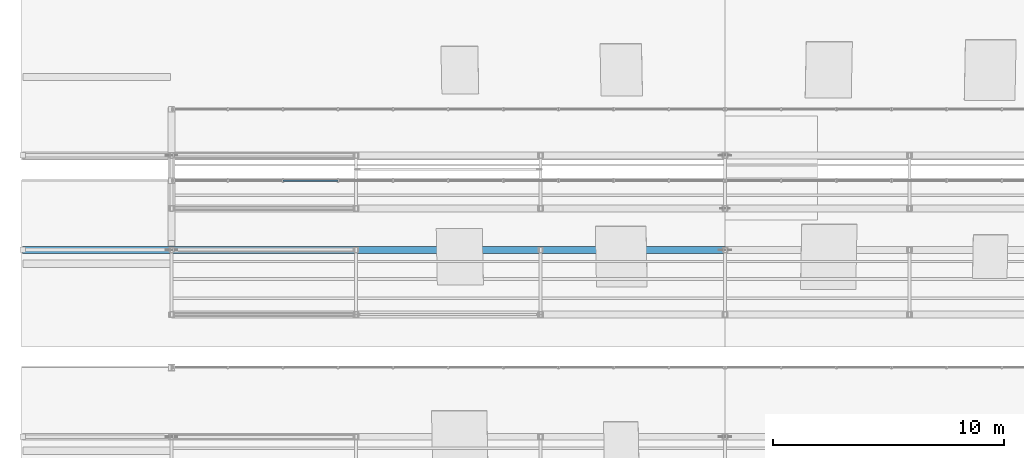
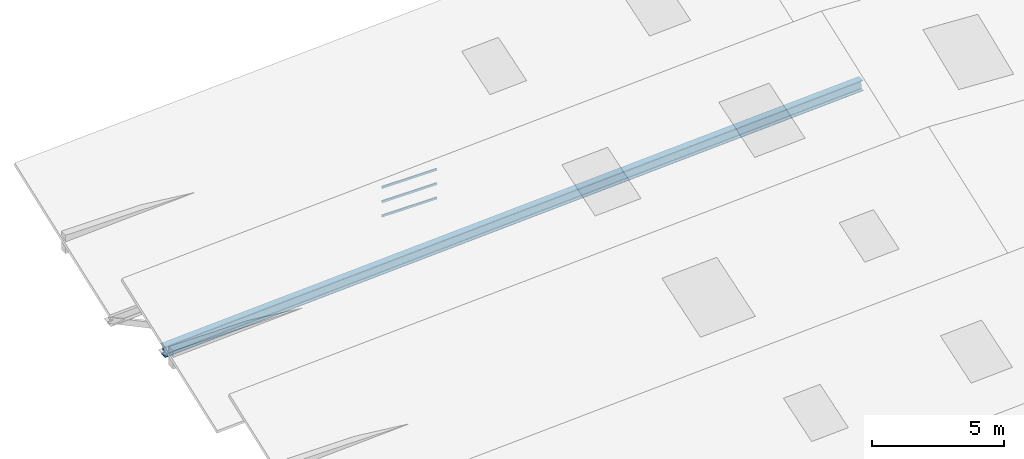
# One storey, part 77 of 141: 4 members, 1 element without a shape of its own.
"""IFC4 building model written with IfcOpenShell, lengths in metres."""

import ifcopenshell
import ifcopenshell.guid

model = None  # the IFC model being written
_history = None  # IfcOwnerHistory: only IFC2X3 demands one
_inside = {}  # id of a spatial element -> (the spatial element, [elements in it])
_under = {}  # id of a project, library or spatial element -> (it, [spatial elements below it])
_declared = {}  # id of a project -> (the project, [libraries it declares])
_typed = {}  # id of a type object -> (the type object, [elements of that type])
_made_of = {}  # id of a material, layer set ... -> (it, [elements and type objects made of it])


def new_model(schema):
    """Start an empty IFC model of exactly this schema.

    Asked for "IFC4X3", IfcOpenShell would pick the latest addendum, in which some entities
    have other attributes; the version numbers below select the first issue.
    IFC2X3 requires an IfcOwnerHistory on every rooted entity: one is made here for all.
    """
    global model, _history
    if schema == "IFC4X3":
        model = ifcopenshell.file(schema_version=(4, 3, 0, 0))
    else:
        model = ifcopenshell.file(schema=schema)
    _inside.clear()
    _under.clear()
    _declared.clear()
    _typed.clear()
    _made_of.clear()
    _history = None
    if model.schema == "IFC2X3":
        org = make("IfcOrganization", Name="unknown")
        user = make(
            "IfcPersonAndOrganization",
            ThePerson=make("IfcPerson", FamilyName="unknown"),
            TheOrganization=org,
        )
        app = make(
            "IfcApplication",
            ApplicationDeveloper=org,
            Version="unknown",
            ApplicationFullName="unknown",
            ApplicationIdentifier="unknown",
        )
        _history = make(
            "IfcOwnerHistory",
            OwningUser=user,
            OwningApplication=app,
            ChangeAction="ADDED",
            CreationDate=0,
        )
    return model


def make(cls, **values):
    """One entity of the class cls with the attributes given. An attribute that is None is left unset."""
    return model.create_entity(
        cls, **{name: value for name, value in values.items() if value is not None}
    )


def rooted(cls, **values):
    """An entity with a GlobalId (a new one), such as an element, a storey or a relation."""
    return make(cls, GlobalId=ifcopenshell.guid.new(), OwnerHistory=_history, **values)


def si_unit(unit_type, name, prefix=None):
    """IfcSIUnit, for example si_unit("LENGTHUNIT", "METRE", prefix="MILLI")."""
    return make("IfcSIUnit", UnitType=unit_type, Prefix=prefix, Name=name)


def assignment(units):
    """IfcUnitAssignment: the units of a project."""
    return None if units is None else make("IfcUnitAssignment", Units=units)


def point(xyz):
    """IfcCartesianPoint."""
    return None if xyz is None else make("IfcCartesianPoint", Coordinates=xyz)


def direction(xyz):
    """IfcDirection."""
    return None if xyz is None else make("IfcDirection", DirectionRatios=xyz)


def frame(location, z_axis=None, x_axis=None):
    """IfcAxis2Placement3D, a coordinate frame: its origin and axes. An axis left out is left unset."""
    return make(
        "IfcAxis2Placement3D",
        Location=point(location),
        Axis=direction(z_axis),
        RefDirection=direction(x_axis),
    )


def frame_2d(location, x_axis=None):
    """IfcAxis2Placement2D, a coordinate frame in the plane: its origin and x axis."""
    return make(
        "IfcAxis2Placement2D", Location=point(location), RefDirection=direction(x_axis)
    )


def origin():
    """The frame at (0, 0, 0) with its axes left unset."""
    return frame((0.0, 0.0, 0.0))


def origin_2d():
    """The frame at (0, 0) in the plane with its x axis left unset."""
    return frame_2d((0.0, 0.0))


def place(relative_to, where):
    """IfcLocalPlacement: puts the frame where relative to a parent placement (None: the world)."""
    return make(
        "IfcLocalPlacement", PlacementRelTo=relative_to, RelativePlacement=where
    )


def context(
    kind, dimensions, precision=None, world=None, true_north=None, identifier=None
):
    """IfcGeometricRepresentationContext, for example the 3D "Model" context."""
    return make(
        "IfcGeometricRepresentationContext",
        ContextIdentifier=identifier,
        ContextType=kind,
        CoordinateSpaceDimension=dimensions,
        Precision=precision,
        WorldCoordinateSystem=world,
        TrueNorth=true_north,
    )


def subcontext(parent, identifier, kind, view, scale=None):
    """IfcGeometricRepresentationSubContext, for example "Body" below "Model"."""
    return make(
        "IfcGeometricRepresentationSubContext",
        ContextIdentifier=identifier,
        ContextType=kind,
        ParentContext=parent,
        TargetScale=scale,
        TargetView=view,
    )


def project(units=None, contexts=None):
    """IfcProject with its units and contexts."""
    return rooted(
        "IfcProject",
        Name="project",
        RepresentationContexts=contexts,
        UnitsInContext=assignment(units),
    )


def spatial(cls, under=None, at=None, **own):
    """A site, building, storey or space (cls), placed at a placement, below another one or the project."""
    s = rooted(cls, ObjectPlacement=at, **own)
    if under is not None:
        _under.setdefault(under.id(), (under, []))[1].append(s)
    return s


def profile(cls, at=None, kind="AREA", **sizes):
    """A parametric profile (cls). Its sizes go by their IFC names, for example OverallWidth=200.0."""
    return make(cls, ProfileType=kind, Position=at, **sizes)


def hollow_rectangle(**sizes):
    """IfcRectangleHollowProfileDef."""
    return profile("IfcRectangleHollowProfileDef", **sizes)


def i_section(**sizes):
    """IfcIShapeProfileDef."""
    return profile("IfcIShapeProfileDef", **sizes)


def extrude(swept, where, along, depth):
    """IfcExtrudedAreaSolid: the profile swept, set in the frame where, extruded along a direction by depth."""
    return make(
        "IfcExtrudedAreaSolid",
        SweptArea=swept,
        Position=where,
        ExtrudedDirection=direction(along),
        Depth=depth,
    )


def shape(context_of_items, identifier, shape_type, items):
    """IfcShapeRepresentation: the items that make up one representation, for example the "Body"."""
    return make(
        "IfcShapeRepresentation",
        ContextOfItems=context_of_items,
        RepresentationIdentifier=identifier,
        RepresentationType=shape_type,
        Items=items,
    )


def material(Name=None, Category=None):
    """IfcMaterial."""
    return make("IfcMaterial", Name=Name, Category=Category)


def material_profile(
    of_material, cross_section, Name=None, Category=None, Priority=None
):
    """IfcMaterialProfile: a cross section and its material."""
    return make(
        "IfcMaterialProfile",
        Name=Name,
        Material=of_material,
        Profile=cross_section,
        Priority=Priority,
        Category=Category,
    )


def profile_set(profiles, Name=None, composite=None):
    """IfcMaterialProfileSet."""
    return make(
        "IfcMaterialProfileSet",
        Name=Name,
        MaterialProfiles=profiles,
        CompositeProfile=composite,
    )


def made_of(thing, what):
    """Note that an element or type object is made of a material, layer set ...; save() writes the relation."""
    if what is not None:
        _made_of.setdefault(what.id(), (what, []))[1].append(thing)
    return thing


def type_object(cls, material=None, **own):
    """A type object (cls), such as IfcWallType, which elements share."""
    return made_of(rooted(cls, **own), material)


def element(
    cls,
    number,
    at=None,
    inside=None,
    cuts=None,
    type_object=None,
    material=None,
    context=None,
    identifier="Body",
    shape_type=None,
    held_by="IfcProductDefinitionShape",
    body=None,
    shapes=None,
    **own,
):
    """One element of the class cls, such as IfcWall. Its Tag is "e" and its number.

    at: its placement. inside: the storey or other place that contains it. cuts: it is an
    opening in that element (IfcRelVoidsElement). A single representation is given by context,
    identifier, shape_type and body (its items); several are given by shapes. held_by: the class
    of the entity that holds the representations. save() writes the other relations.
    """
    e = rooted(cls, Tag="e%d" % number, ObjectPlacement=at, **own)
    if body is not None:
        shapes = [shape(context, identifier, shape_type, body)]
    if shapes is not None:
        e.Representation = make(held_by, Representations=shapes)
    if inside is not None:
        _inside.setdefault(inside.id(), (inside, []))[1].append(e)
    if cuts is not None:
        rooted(
            "IfcRelVoidsElement", RelatingBuildingElement=cuts, RelatedOpeningElement=e
        )
    if type_object is not None:
        _typed.setdefault(type_object.id(), (type_object, []))[1].append(e)
    return made_of(e, material)


def aggregate(whole, parts):
    """IfcRelAggregates: a whole, such as a stair, and the parts it consists of."""
    return rooted("IfcRelAggregates", RelatingObject=whole, RelatedObjects=parts)


def save(model, path):
    """Write the relations noted so far, then the file.

    IfcRelAggregates (storeys below a building ...), IfcRelContainedInSpatialStructure (elements
    in a storey), IfcRelDefinesByType, IfcRelAssociatesMaterial and IfcRelDeclares: one each for
    every whole, place, type object, material and project.
    """
    for whole, parts in _under.values():
        aggregate(whole, parts)
    for where, things in _inside.values():
        rooted(
            "IfcRelContainedInSpatialStructure",
            RelatedElements=things,
            RelatingStructure=where,
        )
    for kind, things in _typed.values():
        rooted("IfcRelDefinesByType", RelatedObjects=things, RelatingType=kind)
    for what, things in _made_of.values():
        rooted("IfcRelAssociatesMaterial", RelatedObjects=things, RelatingMaterial=what)
    for by, libraries in _declared.values():
        rooted("IfcRelDeclares", RelatingContext=by, RelatedDefinitions=libraries)
    model.write(path)


model = new_model("IFC4")

# Units and contexts
model_context = context("Model", 3, precision=1e-05, world=origin(), true_north=direction((0.0, 1.0)))
body_context = subcontext(model_context, "Body", "Model", "MODEL_VIEW")
ifc_project = project(units=[si_unit("LENGTHUNIT", "METRE"), si_unit("AREAUNIT", "SQUARE_METRE"), si_unit("VOLUMEUNIT", "CUBIC_METRE"), si_unit("PLANEANGLEUNIT", "RADIAN"), si_unit("MASSUNIT", "GRAM", prefix="KILO")], contexts=[model_context])

# Site, building, storey
site_placement = place(None, origin())
site = spatial("IfcSite", under=ifc_project, at=site_placement, CompositionType="ELEMENT")
building_placement = place(site_placement, origin())
building = spatial("IfcBuilding", under=site, at=building_placement, Name="Sundkrona Museum", CompositionType="ELEMENT")
storey_placement = place(building_placement, frame((0.0, 0.0, 34.0)))
storey = spatial("IfcBuildingStorey", under=building, at=storey_placement, Name="RF", CompositionType="ELEMENT", Elevation=34.0)

# Member
ifc_material_1 = material(Name="Steel S355J2", Category="steel")
ifc_material_profile_1 = material_profile(ifc_material_1, i_section(OverallWidth=0.300048828125, OverallDepth=0.5, WebThickness=0.014404296875, FlangeThickness=0.028076171875, FilletRadius=0.027099609375, at=origin_2d()), Name="HEB 500")
ifc_profile_set_1 = profile_set([ifc_material_profile_1], Name="Steel S355J2")
member_type_1 = type_object("IfcMemberType", Name="TC-HEB500", PredefinedType="CHORD", material=ifc_profile_set_1)
member_1_placement = place(storey_placement, frame((113.550048828125, 39.699951171875, 3.87841796875), z_axis=(0.998539589753, 0.0, 0.054024880348), x_axis=(0.0, 1.0, 0.0)))
element("IfcMember", 1, at=member_1_placement, inside=storey, type_object=member_type_1, Name="RFS-1 Sawtooth Truss 6 West Sloped Top Chord", PredefinedType="CHORD", context=body_context, shape_type="SweptSolid", body=[
    extrude(i_section(OverallWidth=0.300048828125, OverallDepth=0.5, WebThickness=0.014404296875, FlangeThickness=0.028076171875, FilletRadius=0.027099609375, at=origin_2d()), origin(), (0.0, 0.0, 1.0), 30.494384765625),
])

# Curtain wall, members
ifc_material_2 = material(Name="Unitised Aluminium-Steel and Ceramic-Clad Curtain Walling", Category="steel")
curtain_wall_type = type_object("IfcCurtainWallType", Name="CW-SW-240x13", PredefinedType="NOTDEFINED", material=ifc_material_2)
curtain_wall_placement = place(storey_placement, origin())
curtain_wall = element("IfcCurtainWall", 2, at=curtain_wall_placement, inside=storey, type_object=curtain_wall_type, Name="Sawtooth Bay 6 West North-Light Clerestory", PredefinedType="NOTDEFINED")
ifc_material_3 = material(Name="Aluminium EN AW-6060 T66", Category="aluminium")
ifc_material_profile_2 = material_profile(ifc_material_3, hollow_rectangle(XDim=0.050048828125, YDim=0.10009765625, WallThickness=0.0048828125, at=origin_2d()), Name="RHS 100x50x5.0")
ifc_profile_set_2 = profile_set([ifc_material_profile_2], Name="Aluminium EN AW-6060 T66")
member_type_2 = type_object("IfcMemberType", Name="TR-100", PredefinedType="USERDEFINED", material=ifc_profile_set_2)
member_2_placement = place(storey_placement, frame((124.830078125, 42.699951171875, 4.31298828125), z_axis=(1.0, 0.0, 0.0), x_axis=(0.0, 1.0, 0.0)))
member_2 = element("IfcMember", 3, at=member_2_placement, type_object=member_type_2, Name="CW-RF-SAW-06W Transom 07", ObjectType="TRANSOM", PredefinedType="USERDEFINED", context=body_context, shape_type="SweptSolid", body=[
    extrude(hollow_rectangle(XDim=0.050048828125, YDim=0.10009765625, WallThickness=0.0048828125, at=origin_2d()), origin(), (0.0, 0.0, 1.0), 2.389892578125),
])
member_3_placement = place(storey_placement, frame((124.830078125, 42.699951171875, 4.972900390625), z_axis=(1.0, 0.0, 0.0), x_axis=(0.0, 1.0, 0.0)))
member_3 = element("IfcMember", 4, at=member_3_placement, type_object=member_type_2, Name="CW-RF-SAW-06W Transom 08", ObjectType="TRANSOM", PredefinedType="USERDEFINED", context=body_context, shape_type="SweptSolid", body=[
    extrude(hollow_rectangle(XDim=0.050048828125, YDim=0.10009765625, WallThickness=0.0048828125, at=origin_2d()), origin(), (0.0, 0.0, 1.0), 2.389892578125),
])
member_4_placement = place(storey_placement, frame((124.830078125, 42.699951171875, 5.633056640625), z_axis=(1.0, 0.0, 0.0), x_axis=(0.0, 1.0, 0.0)))
member_4 = element("IfcMember", 5, at=member_4_placement, type_object=member_type_2, Name="CW-RF-SAW-06W Transom 09", ObjectType="TRANSOM", PredefinedType="USERDEFINED", context=body_context, shape_type="SweptSolid", body=[
    extrude(hollow_rectangle(XDim=0.050048828125, YDim=0.10009765625, WallThickness=0.0048828125, at=origin_2d()), origin(), (0.0, 0.0, 1.0), 2.389892578125),
])
aggregate(curtain_wall, [member_2, member_3, member_4])

save(model, "model.ifc")
